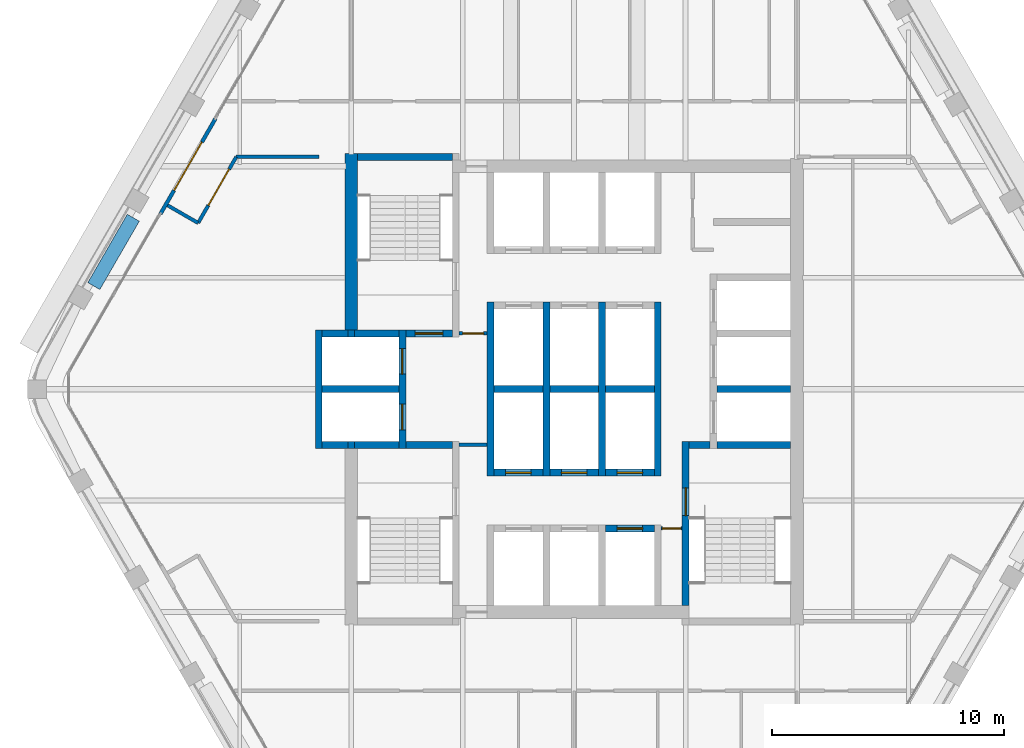
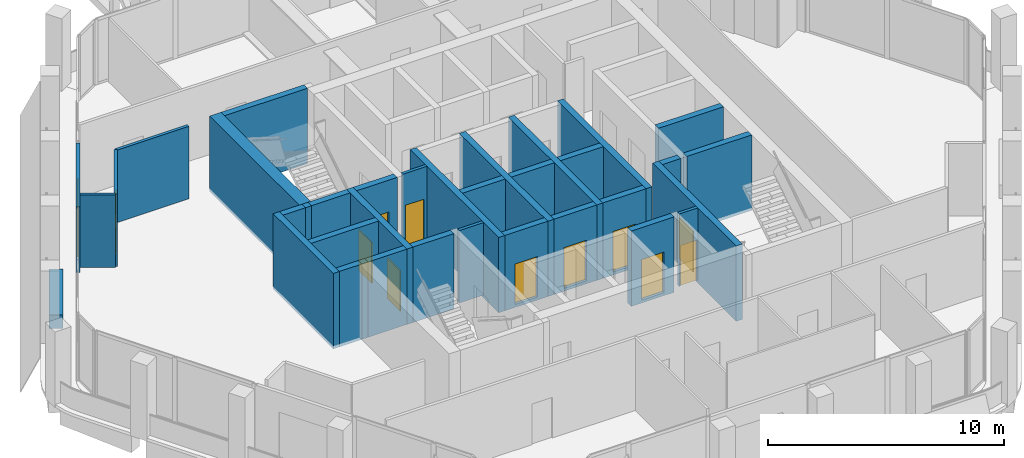
# One storey, part 9 of 14: 36 walls, 12 doors, 12 openings.
"""IFC4 building model written with IfcOpenShell, lengths in metres."""

from ifc_helpers import new_model, si_unit, direction, frame, frame_2d, origin, place, context, subcontext, project, spatial, rectangle, extrude, material, layer, layer_set, type_object, element, fill, save


model = new_model("IFC4")

# Units and contexts
model_context = context("Model", 3, precision=1e-05, world=origin(), true_north=direction((0.0, 1.0)))
body_context = subcontext(model_context, "Body", "Model", "MODEL_VIEW")
ifc_project = project(units=[si_unit("LENGTHUNIT", "METRE"), si_unit("AREAUNIT", "SQUARE_METRE"), si_unit("VOLUMEUNIT", "CUBIC_METRE"), si_unit("PLANEANGLEUNIT", "RADIAN"), si_unit("MASSUNIT", "GRAM", prefix="KILO")], contexts=[model_context])

# Site, building, storey
site_placement = place(None, origin())
site = spatial("IfcSite", under=ifc_project, at=site_placement, CompositionType="ELEMENT")
building_placement = place(site_placement, origin())
building = spatial("IfcBuilding", under=site, at=building_placement, Name="Kolab Exchange Tower", CompositionType="ELEMENT")
storey_placement = place(building_placement, frame((0.0, 0.0, 265.699951171875)))
storey = spatial("IfcBuildingStorey", under=building, at=storey_placement, Name="L59", CompositionType="ELEMENT", Elevation=265.699951171875)

# Wall
ifc_material_1 = material(Name="Concrete C50/60", Category="concrete")
ifc_layer_1 = layer(ifc_material_1, 0.550048828125)
ifc_layer_set_1 = layer_set([ifc_layer_1], Name="Concrete C50/60")
wall_type_1 = type_object("IfcWallType", Name="CORE WALL 550 C50/60", PredefinedType="SHEAR", material=ifc_layer_set_1)
wall_1_placement = place(storey_placement, frame((-9.60009765625, 2.550048828125, -0.14990234375), z_axis=(0.0, 0.0, 1.0), x_axis=(0.0, 1.0, 0.0)))
element("IfcWall", 1, at=wall_1_placement, inside=storey, type_object=wall_type_1, Name="wall/L59/core/037", PredefinedType="SHEAR", context=body_context, shape_type="SweptSolid", body=[
    extrude(rectangle(XDim=7.599853515625, YDim=0.550048828125, at=frame_2d((3.7998046875, 0.0))), origin(), (0.0, 0.0, 1.0), 3.89990234375),
])

# Wall, opening, door
ifc_material_2 = material(Name="Aluminium EN AW-6063 T6", Category="aluminium")
ifc_layer_2 = layer(ifc_material_2, 0.159912109375)
ifc_layer_set_2 = layer_set([ifc_layer_2], Name="Aluminium EN AW-6063 T6")
wall_type_2 = type_object("IfcWallType", Name="DOOR SURROUND WALL 160 ALUMINIUM FRAMED", PredefinedType="PARTITIONING", material=ifc_layer_set_2)
wall_2_placement = place(storey_placement, frame((-17.816650390625, 7.5498046875, 0.0), z_axis=(0.0, 0.0, 1.0), x_axis=(0.499978080042, 0.866038058908, 0.0)))
wall_2 = element("IfcWall", 2, at=wall_2_placement, inside=storey, type_object=wall_type_2, Name="Door surround wall", PredefinedType="PARTITIONING", context=body_context, shape_type="SweptSolid", body=[
    extrude(rectangle(XDim=4.739990234375, YDim=0.159912109375, at=frame_2d((2.3701171875, 0.0))), origin(), (0.0, 0.0, 1.0), 3.400146484375),
])
opening_1_placement = place(wall_2_placement, frame((1.169921875, 0.0, 0.0)))
opening_1 = element("IfcOpeningElement", 3, at=opening_1_placement, cuts=wall_2, Name="Opening GD1-113", PredefinedType="OPENING", context=body_context, shape_type="SweptSolid", body=[
    extrude(rectangle(XDim=2.39990234375, YDim=2.39990234375, at=frame_2d((1.199951171875, 1.199951171875))), frame((0.0, 0.08984375, 0.0), z_axis=(0.0, -1.0, 0.0), x_axis=(1.0, 0.0, 0.0)), (0.0, 0.0, 1.0), 0.179931640625),
])
door_type_1 = type_object("IfcDoorType", Name="LOGGIA SLIDING GLASS DOOR 2400 X 2400", OperationType="DOUBLE_DOOR_SINGLE_SWING", PredefinedType="DOOR", material=ifc_material_2)
door_1_placement = place(opening_1_placement, origin())
door_1 = element("IfcDoor", 4, at=door_1_placement, inside=storey, type_object=door_type_1, Name="Loggia door", OperationType="DOUBLE_DOOR_SLIDING", OverallHeight=2.39990234375, OverallWidth=2.39990234375, PredefinedType="DOOR", context=body_context, shape_type="SweptSolid", body=[
    extrude(rectangle(XDim=2.39990234375, YDim=2.39990234375, at=frame_2d((1.199951171875, 1.199951171875))), frame((0.0, 0.02490234375, 0.0), z_axis=(0.0, -1.0, 0.0), x_axis=(1.0, 0.0, 0.0)), (0.0, 0.0, 1.0), 0.050048828125),
])
fill(opening_1, door_1)

ifc_layer_3 = layer(ifc_material_1, 0.300048828125)
ifc_layer_set_3 = layer_set([ifc_layer_3], Name="Concrete C50/60")
wall_type_3 = type_object("IfcWallType", Name="LIFT SHAFT WALL 300 C50/60", PredefinedType="STANDARD", material=ifc_layer_set_3)
wall_3_placement = place(storey_placement, frame((1.35009765625, -6.0, -0.14990234375), z_axis=(0.0, 0.0, 1.0), x_axis=(1.0, 0.0, 0.0)))
wall_3 = element("IfcWall", 5, at=wall_3_placement, inside=storey, type_object=wall_type_3, Name="wall/L59/core/005", PredefinedType="STANDARD", context=body_context, shape_type="SweptSolid", body=[
    extrude(rectangle(XDim=2.099853515625, YDim=0.300048828125, at=frame_2d((1.0498046875, 0.0))), origin(), (0.0, 0.0, 1.0), 3.89990234375),
])
opening_2_placement = place(wall_3_placement, frame((0.5, 0.0, 0.14990234375)))
opening_2 = element("IfcOpeningElement", 6, at=opening_2_placement, cuts=wall_3, Name="Opening LD1-112", PredefinedType="OPENING", context=body_context, shape_type="SweptSolid", body=[
    extrude(rectangle(XDim=1.10009765625, YDim=2.10009765625, at=frame_2d((0.550048828125, 1.050048828125))), frame((0.0, 0.16015625, 0.0), z_axis=(0.0, -1.0, 0.0), x_axis=(1.0, 0.0, 0.0)), (0.0, 0.0, 1.0), 0.320068359375),
])
ifc_material_3 = material(Name="Stainless steel 316", Category="steel")
door_type_2 = type_object("IfcDoorType", Name="LANDING DOOR 1100 PASSENGER", OperationType="DOUBLE_DOOR_SLIDING", PredefinedType="DOOR", material=ifc_material_3)
door_2_placement = place(opening_2_placement, origin())
door_2 = element("IfcDoor", 7, at=door_2_placement, inside=storey, type_object=door_type_2, Name="Landing door HR12", OperationType="DOUBLE_DOOR_SLIDING", OverallHeight=2.10009765625, OverallWidth=1.10009765625, PredefinedType="DOOR", context=body_context, shape_type="SweptSolid", body=[
    extrude(rectangle(XDim=1.10009765625, YDim=2.10009765625, at=frame_2d((0.550048828125, 1.050048828125))), frame((0.0, 0.02490234375, 0.0), z_axis=(0.0, -1.0, 0.0), x_axis=(1.0, 0.0, 0.0)), (0.0, 0.0, 1.0), 0.050048828125),
])
fill(opening_2, door_2)

wall_4_placement = place(storey_placement, frame((-3.449951171875, -3.60009765625, -0.14990234375), z_axis=(0.0, 0.0, 1.0), x_axis=(1.0, 0.0, 0.0)))
wall_4 = element("IfcWall", 8, at=wall_4_placement, inside=storey, type_object=wall_type_3, Name="wall/L59/core/006", PredefinedType="STANDARD", context=body_context, shape_type="SweptSolid", body=[
    extrude(rectangle(XDim=2.099853515625, YDim=0.300048828125, at=frame_2d((1.0498046875, 0.0))), origin(), (0.0, 0.0, 1.0), 3.89990234375),
])
opening_3_placement = place(wall_4_placement, frame((0.5, 0.0, 0.14990234375)))
opening_3 = element("IfcOpeningElement", 9, at=opening_3_placement, cuts=wall_4, Name="Opening LD1-118", PredefinedType="OPENING", context=body_context, shape_type="SweptSolid", body=[
    extrude(rectangle(XDim=1.10009765625, YDim=2.10009765625, at=frame_2d((0.550048828125, 1.050048828125))), frame((0.0, 0.16015625, 0.0), z_axis=(0.0, -1.0, 0.0), x_axis=(1.0, 0.0, 0.0)), (0.0, 0.0, 1.0), 0.320068359375),
])
door_3_placement = place(opening_3_placement, origin())
door_3 = element("IfcDoor", 10, at=door_3_placement, inside=storey, type_object=door_type_2, Name="Landing door HR7", OperationType="DOUBLE_DOOR_SLIDING", OverallHeight=2.10009765625, OverallWidth=1.10009765625, PredefinedType="DOOR", context=body_context, shape_type="SweptSolid", body=[
    extrude(rectangle(XDim=1.10009765625, YDim=2.10009765625, at=frame_2d((0.550048828125, 1.050048828125))), frame((0.0, 0.02490234375, 0.0), z_axis=(0.0, -1.0, 0.0), x_axis=(1.0, 0.0, 0.0)), (0.0, 0.0, 1.0), 0.050048828125),
])
fill(opening_3, door_3)

wall_5_placement = place(storey_placement, frame((-1.050048828125, -3.60009765625, -0.14990234375), z_axis=(0.0, 0.0, 1.0), x_axis=(1.0, 0.0, 0.0)))
wall_5 = element("IfcWall", 11, at=wall_5_placement, inside=storey, type_object=wall_type_3, Name="wall/L59/core/007", PredefinedType="STANDARD", context=body_context, shape_type="SweptSolid", body=[
    extrude(rectangle(XDim=2.10009765625, YDim=0.300048828125, at=frame_2d((1.050048828125, 0.0))), origin(), (0.0, 0.0, 1.0), 3.89990234375),
])
opening_4_placement = place(wall_5_placement, frame((0.5, 0.0, 0.14990234375)))
opening_4 = element("IfcOpeningElement", 12, at=opening_4_placement, cuts=wall_5, Name="Opening LD1-119", PredefinedType="OPENING", context=body_context, shape_type="SweptSolid", body=[
    extrude(rectangle(XDim=1.10009765625, YDim=2.10009765625, at=frame_2d((0.550048828125, 1.050048828125))), frame((0.0, 0.16015625, 0.0), z_axis=(0.0, -1.0, 0.0), x_axis=(1.0, 0.0, 0.0)), (0.0, 0.0, 1.0), 0.320068359375),
])
door_4_placement = place(opening_4_placement, origin())
door_4 = element("IfcDoor", 13, at=door_4_placement, inside=storey, type_object=door_type_2, Name="Landing door HR8", OperationType="DOUBLE_DOOR_SLIDING", OverallHeight=2.10009765625, OverallWidth=1.10009765625, PredefinedType="DOOR", context=body_context, shape_type="SweptSolid", body=[
    extrude(rectangle(XDim=1.10009765625, YDim=2.10009765625, at=frame_2d((0.550048828125, 1.050048828125))), frame((0.0, 0.02490234375, 0.0), z_axis=(0.0, -1.0, 0.0), x_axis=(1.0, 0.0, 0.0)), (0.0, 0.0, 1.0), 0.050048828125),
])
fill(opening_4, door_4)

wall_6_placement = place(storey_placement, frame((1.35009765625, -3.60009765625, -0.14990234375), z_axis=(0.0, 0.0, 1.0), x_axis=(1.0, 0.0, 0.0)))
wall_6 = element("IfcWall", 14, at=wall_6_placement, inside=storey, type_object=wall_type_3, Name="wall/L59/core/008", PredefinedType="STANDARD", context=body_context, shape_type="SweptSolid", body=[
    extrude(rectangle(XDim=2.099853515625, YDim=0.300048828125, at=frame_2d((1.0498046875, 0.0))), origin(), (0.0, 0.0, 1.0), 3.89990234375),
])
opening_5_placement = place(wall_6_placement, frame((0.5, 0.0, 0.14990234375)))
opening_5 = element("IfcOpeningElement", 15, at=opening_5_placement, cuts=wall_6, Name="Opening LD1-120", PredefinedType="OPENING", context=body_context, shape_type="SweptSolid", body=[
    extrude(rectangle(XDim=1.10009765625, YDim=2.10009765625, at=frame_2d((0.550048828125, 1.050048828125))), frame((0.0, 0.16015625, 0.0), z_axis=(0.0, -1.0, 0.0), x_axis=(1.0, 0.0, 0.0)), (0.0, 0.0, 1.0), 0.320068359375),
])
door_5_placement = place(opening_5_placement, origin())
door_5 = element("IfcDoor", 16, at=door_5_placement, inside=storey, type_object=door_type_2, Name="Landing door HR9", OperationType="DOUBLE_DOOR_SLIDING", OverallHeight=2.10009765625, OverallWidth=1.10009765625, PredefinedType="DOOR", context=body_context, shape_type="SweptSolid", body=[
    extrude(rectangle(XDim=1.10009765625, YDim=2.10009765625, at=frame_2d((0.550048828125, 1.050048828125))), frame((0.0, 0.02490234375, 0.0), z_axis=(0.0, -1.0, 0.0), x_axis=(1.0, 0.0, 0.0)), (0.0, 0.0, 1.0), 0.050048828125),
])
fill(opening_5, door_5)

# Walls
wall_7_placement = place(storey_placement, frame((-10.85009765625, -2.39990234375, -0.14990234375), z_axis=(0.0, 0.0, 1.0), x_axis=(1.0, 0.0, 0.0)))
element("IfcWall", 17, at=wall_7_placement, inside=storey, type_object=wall_type_3, Name="wall/L59/core/009", PredefinedType="STANDARD", context=body_context, shape_type="SweptSolid", body=[
    extrude(rectangle(XDim=1.10009765625, YDim=0.300048828125, at=frame_2d((0.550048828125, 0.0))), origin(), (0.0, 0.0, 1.0), 3.89990234375),
])
wall_8_placement = place(storey_placement, frame((-10.85009765625, 0.0, -0.14990234375), z_axis=(0.0, 0.0, 1.0), x_axis=(1.0, 0.0, 0.0)))
element("IfcWall", 18, at=wall_8_placement, inside=storey, type_object=wall_type_3, Name="wall/L59/core/014", PredefinedType="STANDARD", context=body_context, shape_type="SweptSolid", body=[
    extrude(rectangle(XDim=3.300048828125, YDim=0.300048828125, at=frame_2d((1.64990234375, 0.0))), origin(), (0.0, 0.0, 1.0), 3.89990234375),
])
wall_9_placement = place(storey_placement, frame((-3.449951171875, 0.0, -0.14990234375), z_axis=(0.0, 0.0, 1.0), x_axis=(1.0, 0.0, 0.0)))
element("IfcWall", 19, at=wall_9_placement, inside=storey, type_object=wall_type_3, Name="wall/L59/core/015", PredefinedType="STANDARD", context=body_context, shape_type="SweptSolid", body=[
    extrude(rectangle(XDim=2.099853515625, YDim=0.300048828125, at=frame_2d((1.0498046875, 0.0))), origin(), (0.0, 0.0, 1.0), 3.89990234375),
])
wall_10_placement = place(storey_placement, frame((-1.050048828125, 0.0, -0.14990234375), z_axis=(0.0, 0.0, 1.0), x_axis=(1.0, 0.0, 0.0)))
element("IfcWall", 20, at=wall_10_placement, inside=storey, type_object=wall_type_3, Name="wall/L59/core/016", PredefinedType="STANDARD", context=body_context, shape_type="SweptSolid", body=[
    extrude(rectangle(XDim=2.10009765625, YDim=0.300048828125, at=frame_2d((1.050048828125, 0.0))), origin(), (0.0, 0.0, 1.0), 3.89990234375),
])
wall_11_placement = place(storey_placement, frame((1.35009765625, 0.0, -0.14990234375), z_axis=(0.0, 0.0, 1.0), x_axis=(1.0, 0.0, 0.0)))
element("IfcWall", 21, at=wall_11_placement, inside=storey, type_object=wall_type_3, Name="wall/L59/core/017", PredefinedType="STANDARD", context=body_context, shape_type="SweptSolid", body=[
    extrude(rectangle(XDim=2.099853515625, YDim=0.300048828125, at=frame_2d((1.0498046875, 0.0))), origin(), (0.0, 0.0, 1.0), 3.89990234375),
])
wall_12_placement = place(storey_placement, frame((6.14990234375, 0.0, -0.14990234375), z_axis=(0.0, 0.0, 1.0), x_axis=(1.0, 0.0, 0.0)))
element("IfcWall", 22, at=wall_12_placement, inside=storey, type_object=wall_type_3, Name="wall/L59/core/018", PredefinedType="STANDARD", context=body_context, shape_type="SweptSolid", body=[
    extrude(rectangle(XDim=3.175048828125, YDim=0.300048828125, at=frame_2d((1.58740234375, 0.0))), origin(), (0.0, 0.0, 1.0), 3.89990234375),
])
wall_13_placement = place(storey_placement, frame((-10.85009765625, 2.39990234375, -0.14990234375), z_axis=(0.0, 0.0, 1.0), x_axis=(1.0, 0.0, 0.0)))
element("IfcWall", 23, at=wall_13_placement, inside=storey, type_object=wall_type_3, Name="wall/L59/core/019", PredefinedType="STANDARD", context=body_context, shape_type="SweptSolid", body=[
    extrude(rectangle(XDim=1.10009765625, YDim=0.300048828125, at=frame_2d((0.550048828125, 0.0))), origin(), (0.0, 0.0, 1.0), 3.89990234375),
])
wall_14_placement = place(storey_placement, frame((-11.0, -2.550048828125, -0.14990234375), z_axis=(0.0, 0.0, 1.0), x_axis=(0.0, 1.0, 0.0)))
element("IfcWall", 24, at=wall_14_placement, inside=storey, type_object=wall_type_3, Name="wall/L59/core/033", PredefinedType="STANDARD", context=body_context, shape_type="SweptSolid", body=[
    extrude(rectangle(XDim=5.10009765625, YDim=0.300048828125, at=frame_2d((2.550048828125, 0.0))), origin(), (0.0, 0.0, 1.0), 3.89990234375),
])

# Wall, openings, doors
wall_15_placement = place(storey_placement, frame((-7.39990234375, -2.550048828125, -0.14990234375), z_axis=(0.0, 0.0, 1.0), x_axis=(0.0, 1.0, 0.0)))
wall_15 = element("IfcWall", 25, at=wall_15_placement, inside=storey, type_object=wall_type_3, Name="wall/L59/core/038", PredefinedType="STANDARD", context=body_context, shape_type="SweptSolid", body=[
    extrude(rectangle(XDim=5.10009765625, YDim=0.300048828125, at=frame_2d((2.550048828125, 0.0))), origin(), (0.0, 0.0, 1.0), 3.89990234375),
])
opening_6_placement = place(wall_15_placement, frame((0.800048828125, 0.0, 0.14990234375)))
opening_6 = element("IfcOpeningElement", 26, at=opening_6_placement, cuts=wall_15, Name="Opening LD2-025", PredefinedType="OPENING", context=body_context, shape_type="SweptSolid", body=[
    extrude(rectangle(XDim=1.10009765625, YDim=2.10009765625, at=frame_2d((0.550048828125, 1.050048828125))), frame((0.0, 0.16015625, 0.0), z_axis=(0.0, -1.0, 0.0), x_axis=(1.0, 0.0, 0.0)), (0.0, 0.0, 1.0), 0.320068359375),
])
opening_7_placement = place(wall_15_placement, frame((3.199951171875, 0.0, 0.14990234375)))
opening_7 = element("IfcOpeningElement", 27, at=opening_7_placement, cuts=wall_15, Name="Opening LD2-026", PredefinedType="OPENING", context=body_context, shape_type="SweptSolid", body=[
    extrude(rectangle(XDim=1.10009765625, YDim=2.10009765625, at=frame_2d((0.550048828125, 1.050048828125))), frame((0.0, 0.16015625, 0.0), z_axis=(0.0, -1.0, 0.0), x_axis=(1.0, 0.0, 0.0)), (0.0, 0.0, 1.0), 0.320068359375),
])
door_type_3 = type_object("IfcDoorType", Name="LANDING DOOR 1100 FIREFIGHTING", OperationType="DOUBLE_DOOR_SLIDING", PredefinedType="DOOR", material=ifc_material_3)
door_6_placement = place(opening_6_placement, origin())
door_6 = element("IfcDoor", 28, at=door_6_placement, inside=storey, type_object=door_type_3, Name="Landing door FF1", OperationType="DOUBLE_DOOR_SLIDING", OverallHeight=2.10009765625, OverallWidth=1.10009765625, PredefinedType="DOOR", context=body_context, shape_type="SweptSolid", body=[
    extrude(rectangle(XDim=1.10009765625, YDim=2.10009765625, at=frame_2d((0.550048828125, 1.050048828125))), frame((0.0, 0.02490234375, 0.0), z_axis=(0.0, -1.0, 0.0), x_axis=(1.0, 0.0, 0.0)), (0.0, 0.0, 1.0), 0.050048828125),
])
fill(opening_6, door_6)
door_7_placement = place(opening_7_placement, origin())
door_7 = element("IfcDoor", 29, at=door_7_placement, inside=storey, type_object=door_type_3, Name="Landing door FF2", OperationType="DOUBLE_DOOR_SLIDING", OverallHeight=2.10009765625, OverallWidth=1.10009765625, PredefinedType="DOOR", context=body_context, shape_type="SweptSolid", body=[
    extrude(rectangle(XDim=1.10009765625, YDim=2.10009765625, at=frame_2d((0.550048828125, 1.050048828125))), frame((0.0, 0.02490234375, 0.0), z_axis=(0.0, -1.0, 0.0), x_axis=(1.0, 0.0, 0.0)), (0.0, 0.0, 1.0), 0.050048828125),
])
fill(opening_7, door_7)

# Walls
for number, where, z_axis, x_axis, name in (
    (30, (-3.60009765625, -3.75, -0.14990234375), (0.0, 0.0, 1.0), (0.0, 1.0, 0.0), "wall/L59/core/044"),
    (31, (-1.199951171875, -3.75, -0.14990234375), (0.0, 0.0, 1.0), (0.0, 1.0, 0.0), "wall/L59/core/047"),
    (32, (1.199951171875, -3.75, -0.14990234375), (0.0, 0.0, 1.0), (0.0, 1.0, 0.0), "wall/L59/core/050"),
    (33, (3.60009765625, -3.75, -0.14990234375), (0.0, 0.0, 1.0), (0.0, 1.0, 0.0), "wall/L59/core/053"),
):
    element("IfcWall", number, at=place(storey_placement, frame(where, z_axis=z_axis, x_axis=x_axis)), inside=storey, type_object=wall_type_3, Name=name, PredefinedType="STANDARD", context=body_context, shape_type="SweptSolid", body=[
        extrude(rectangle(XDim=7.5, YDim=0.300048828125, at=frame_2d((3.75, 0.0))), origin(), (0.0, 0.0, 1.0), 3.89990234375),
    ])

# Wall, opening, door
ifc_material_4 = material(Name="Gypsum board", Category="gypsum")
ifc_layer_4 = layer(ifc_material_4, 0.14990234375)
ifc_layer_set_4 = layer_set([ifc_layer_4], Name="Gypsum board")
wall_type_4 = type_object("IfcWallType", Name="PARTITION 150 FIRE-RATED", PredefinedType="PARTITIONING", material=ifc_layer_set_4)
wall_16_placement = place(storey_placement, frame((-16.196044921875, 7.15673828125, 0.0), z_axis=(0.0, 0.0, 1.0), x_axis=(0.499954196102, 0.866051847062, 0.0)))
wall_16 = element("IfcWall", 34, at=wall_16_placement, inside=storey, type_object=wall_type_4, Name="Partition 016", PredefinedType="PARTITIONING", context=body_context, shape_type="SweptSolid", body=[
    extrude(rectangle(XDim=3.282958984375, YDim=0.14990234375, at=frame_2d((1.6416015625, 0.0))), origin(), (0.0, 0.0, 1.0), 3.75),
])
opening_8_placement = place(wall_16_placement, frame((0.87744140625, 0.0, 0.0)))
opening_8 = element("IfcOpeningElement", 35, at=opening_8_placement, cuts=wall_16, Name="Opening D2-073", PredefinedType="OPENING", context=body_context, shape_type="SweptSolid", body=[
    extrude(rectangle(XDim=1.800048828125, YDim=2.10009765625, at=frame_2d((0.89990234375, 1.050048828125))), frame((0.0, 0.0849609375, 0.0), z_axis=(0.0, -1.0, 0.0), x_axis=(1.0, 0.0, 0.0)), (0.0, 0.0, 1.0), 0.169921875),
])
ifc_material_5 = material(Name="Steel S235", Category="steel")
door_type_4 = type_object("IfcDoorType", Name="DOUBLE DOOR 1800 FD60", OperationType="DOUBLE_DOOR_SINGLE_SWING", PredefinedType="DOOR", material=ifc_material_5)
door_8_placement = place(opening_8_placement, frame((1.800048828125, 0.0, 0.0), z_axis=(0.0, 0.0, 1.0), x_axis=(-1.0, 0.0, 0.0)))
door_8 = element("IfcDoor", 36, at=door_8_placement, inside=storey, type_object=door_type_4, Name="Door L59-042", OperationType="SINGLE_SWING_RIGHT", OverallHeight=2.10009765625, OverallWidth=1.800048828125, PredefinedType="DOOR", context=body_context, shape_type="SweptSolid", body=[
    extrude(rectangle(XDim=1.800048828125, YDim=2.10009765625, at=frame_2d((0.89990234375, 1.050048828125))), frame((0.0, 0.02490234375, 0.0), z_axis=(0.0, -1.0, 0.0), x_axis=(1.0, 0.0, 0.0)), (0.0, 0.0, 1.0), 0.050048828125),
])
fill(opening_8, door_8)

# Wall
wall_17_placement = place(storey_placement, frame((-17.512451171875, 7.9169921875, 0.0), z_axis=(0.0, 0.0, 1.0), x_axis=(0.865960906633, -0.500111695708, 0.0)))
element("IfcWall", 37, at=wall_17_placement, inside=storey, type_object=wall_type_4, Name="Partition 017", PredefinedType="PARTITIONING", context=body_context, shape_type="SweptSolid", body=[
    extrude(rectangle(XDim=1.520263671875, YDim=0.14990234375, at=frame_2d((0.76025390625, 0.0))), origin(), (0.0, 0.0, 1.0), 3.75),
])

# Wall, opening, door
wall_18_placement = place(storey_placement, frame((3.75, -6.0, 0.0), z_axis=(0.0, 0.0, 1.0), x_axis=(1.0, 0.0, 0.0)))
wall_18 = element("IfcWall", 38, at=wall_18_placement, inside=storey, type_object=wall_type_4, Name="Partition 025", PredefinedType="PARTITIONING", context=body_context, shape_type="SweptSolid", body=[
    extrude(rectangle(XDim=0.89990234375, YDim=0.14990234375, at=frame_2d((0.449951171875, 0.0))), origin(), (0.0, 0.0, 1.0), 3.75),
])
opening_9_placement = place(wall_18_placement, frame((0.050048828125, 0.0, 0.0)))
opening_9 = element("IfcOpeningElement", 39, at=opening_9_placement, cuts=wall_18, Name="Opening D7-041", PredefinedType="OPENING", context=body_context, shape_type="SweptSolid", body=[
    extrude(rectangle(XDim=0.800048828125, YDim=2.10009765625, at=frame_2d((0.39990234375, 1.050048828125))), frame((0.0, 0.0849609375, 0.0), z_axis=(0.0, -1.0, 0.0), x_axis=(1.0, 0.0, 0.0)), (0.0, 0.0, 1.0), 0.169921875),
])
door_type_5 = type_object("IfcDoorType", Name="FLUSH DOOR 800 FD60", OperationType="SINGLE_SWING_LEFT", PredefinedType="DOOR", material=ifc_material_5)
door_9_placement = place(opening_9_placement, frame((0.800048828125, 0.0, 0.0), z_axis=(0.0, 0.0, 1.0), x_axis=(-1.0, 0.0, 0.0)))
door_9 = element("IfcDoor", 40, at=door_9_placement, inside=storey, type_object=door_type_5, Name="Door L59-024", OperationType="SINGLE_SWING_RIGHT", OverallHeight=2.10009765625, OverallWidth=0.800048828125, PredefinedType="DOOR", context=body_context, shape_type="SweptSolid", body=[
    extrude(rectangle(XDim=0.800048828125, YDim=2.10009765625, at=frame_2d((0.39990234375, 1.050048828125))), frame((0.0, 0.02490234375, 0.0), z_axis=(0.0, -1.0, 0.0), x_axis=(1.0, 0.0, 0.0)), (0.0, 0.0, 1.0), 0.050048828125),
])
fill(opening_9, door_9)

# Wall
wall_19_placement = place(storey_placement, frame((-14.5546875, 10.0, 0.0), z_axis=(0.0, 0.0, 1.0), x_axis=(1.0, 0.0, 0.0)))
element("IfcWall", 41, at=wall_19_placement, inside=storey, type_object=wall_type_4, Name="Partition 027", PredefinedType="PARTITIONING", context=body_context, shape_type="SweptSolid", body=[
    extrude(rectangle(XDim=3.5546875, YDim=0.14990234375, at=frame_2d((1.77734375, 0.0))), origin(), (0.0, 0.0, 1.0), 3.75),
])

# Wall, opening, door
wall_20_placement = place(storey_placement, frame((-4.949951171875, 2.39990234375, 0.0), z_axis=(0.0, 0.0, 1.0), x_axis=(1.0, 0.0, 0.0)))
wall_20 = element("IfcWall", 42, at=wall_20_placement, inside=storey, type_object=wall_type_4, Name="Fire partition", PredefinedType="PARTITIONING", context=body_context, shape_type="SweptSolid", body=[
    extrude(rectangle(XDim=1.199951171875, YDim=0.14990234375, at=frame_2d((0.60009765625, 0.0))), origin(), (0.0, 0.0, 1.0), 3.75),
])
opening_10_placement = place(wall_20_placement, frame((0.14990234375, 0.0, 0.0)))
opening_10 = element("IfcOpeningElement", 43, at=opening_10_placement, cuts=wall_20, Name="Opening D6-288", PredefinedType="OPENING", context=body_context, shape_type="SweptSolid", body=[
    extrude(rectangle(XDim=0.89990234375, YDim=2.10009765625, at=frame_2d((0.449951171875, 1.050048828125))), frame((0.0, 0.0849609375, 0.0), z_axis=(0.0, -1.0, 0.0), x_axis=(1.0, 0.0, 0.0)), (0.0, 0.0, 1.0), 0.169921875),
])
door_type_6 = type_object("IfcDoorType", Name="CORE DOOR 900 EI 120", OperationType="SINGLE_SWING_LEFT", PredefinedType="DOOR", material=ifc_material_5)
door_10_placement = place(opening_10_placement, frame((0.89990234375, 0.0, 0.0), z_axis=(0.0, 0.0, 1.0), x_axis=(-1.0, 0.0, 0.0)))
door_10 = element("IfcDoor", 44, at=door_10_placement, inside=storey, type_object=door_type_6, Name="Firefighting lobby door", OperationType="SINGLE_SWING_RIGHT", OverallHeight=2.10009765625, OverallWidth=0.89990234375, PredefinedType="DOOR", context=body_context, shape_type="SweptSolid", body=[
    extrude(rectangle(XDim=0.89990234375, YDim=2.10009765625, at=frame_2d((0.449951171875, 1.050048828125))), frame((0.0, 0.02490234375, 0.0), z_axis=(0.0, -1.0, 0.0), x_axis=(1.0, 0.0, 0.0)), (0.0, 0.0, 1.0), 0.050048828125),
])
fill(opening_10, door_10)

# Walls
wall_21_placement = place(storey_placement, frame((-4.949951171875, -2.39990234375, 0.0), z_axis=(0.0, 0.0, 1.0), x_axis=(1.0, 0.0, 0.0)))
element("IfcWall", 45, at=wall_21_placement, inside=storey, type_object=wall_type_4, Name="Fire partition", PredefinedType="PARTITIONING", context=body_context, shape_type="SweptSolid", body=[
    extrude(rectangle(XDim=1.199951171875, YDim=0.14990234375, at=frame_2d((0.60009765625, 0.0))), origin(), (0.0, 0.0, 1.0), 3.75),
])
ifc_material_6 = material(Name="Granite facing", Category="masonry")
ifc_layer_5 = layer(ifc_material_6, 0.0400390625)
ifc_material_7 = material(Name="Concrete C40/50 precast", Category="concrete")
ifc_layer_6 = layer(ifc_material_7, 0.56005859375)
ifc_layer_set_5 = layer_set([ifc_layer_5, ifc_layer_6], Name="Concrete C40/50 precast")
wall_type_5 = type_object("IfcWallType", Name="PLANTER BOX 600 X 700 SOIL DEPTH 550", PredefinedType="USERDEFINED", material=ifc_layer_set_5)
wall_22_placement = place(storey_placement, frame((-20.68701171875, 4.438232421875, 0.0), z_axis=(0.0, 0.0, 1.0), x_axis=(0.500008388397, 0.866020560687, 0.0)))
element("IfcWall", 46, at=wall_22_placement, inside=storey, type_object=wall_type_5, Name="Planter", ObjectType="PLANTER", PredefinedType="USERDEFINED", context=body_context, shape_type="SweptSolid", body=[
    extrude(rectangle(XDim=3.39990234375, YDim=0.60009765625, at=frame_2d((1.699951171875, 0.0))), origin(), (0.0, 0.0, 1.0), 0.699951171875),
])
ifc_layer_7 = layer(ifc_material_1, 0.300048828125)
ifc_layer_set_6 = layer_set([ifc_layer_7], Name="Concrete C50/60")
wall_type_6 = type_object("IfcWallType", Name="STAIR ENCLOSURE WALL 300 C50/60", PredefinedType="STANDARD", material=ifc_layer_set_6)
wall_23_placement = place(storey_placement, frame((-9.449951171875, -2.39990234375, -0.14990234375), z_axis=(0.0, 0.0, 1.0), x_axis=(1.0, 0.0, 0.0)))
element("IfcWall", 47, at=wall_23_placement, inside=storey, type_object=wall_type_6, Name="wall/L59/core/010", PredefinedType="STANDARD", context=body_context, shape_type="SweptSolid", body=[
    extrude(rectangle(XDim=1.89990234375, YDim=0.300048828125, at=frame_2d((0.949951171875, 0.0))), origin(), (0.0, 0.0, 1.0), 3.89990234375),
])
wall_24_placement = place(storey_placement, frame((-7.25, -2.39990234375, -0.14990234375), z_axis=(0.0, 0.0, 1.0), x_axis=(1.0, 0.0, 0.0)))
element("IfcWall", 48, at=wall_24_placement, inside=storey, type_object=wall_type_6, Name="wall/L59/core/011", PredefinedType="STANDARD", context=body_context, shape_type="SweptSolid", body=[
    extrude(rectangle(XDim=2.0, YDim=0.300048828125, at=frame_2d((1.0, 0.0))), origin(), (0.0, 0.0, 1.0), 3.89990234375),
])
wall_25_placement = place(storey_placement, frame((4.949951171875, -2.39990234375, -0.14990234375), z_axis=(0.0, 0.0, 1.0), x_axis=(1.0, 0.0, 0.0)))
element("IfcWall", 49, at=wall_25_placement, inside=storey, type_object=wall_type_6, Name="wall/L59/core/012", PredefinedType="STANDARD", context=body_context, shape_type="SweptSolid", body=[
    extrude(rectangle(XDim=0.900146484375, YDim=0.300048828125, at=frame_2d((0.4501953125, 0.0))), origin(), (0.0, 0.0, 1.0), 3.89990234375),
])
wall_26_placement = place(storey_placement, frame((6.14990234375, -2.39990234375, -0.14990234375), z_axis=(0.0, 0.0, 1.0), x_axis=(1.0, 0.0, 0.0)))
element("IfcWall", 50, at=wall_26_placement, inside=storey, type_object=wall_type_6, Name="wall/L59/core/013", PredefinedType="STANDARD", context=body_context, shape_type="SweptSolid", body=[
    extrude(rectangle(XDim=3.175048828125, YDim=0.300048828125, at=frame_2d((1.58740234375, 0.0))), origin(), (0.0, 0.0, 1.0), 3.89990234375),
])
wall_27_placement = place(storey_placement, frame((-9.449951171875, 2.39990234375, -0.14990234375), z_axis=(0.0, 0.0, 1.0), x_axis=(1.0, 0.0, 0.0)))
element("IfcWall", 51, at=wall_27_placement, inside=storey, type_object=wall_type_6, Name="wall/L59/core/020", PredefinedType="STANDARD", context=body_context, shape_type="SweptSolid", body=[
    extrude(rectangle(XDim=1.89990234375, YDim=0.300048828125, at=frame_2d((0.949951171875, 0.0))), origin(), (0.0, 0.0, 1.0), 3.89990234375),
])

# Wall, opening, door
wall_28_placement = place(storey_placement, frame((-7.25, 2.39990234375, -0.14990234375), z_axis=(0.0, 0.0, 1.0), x_axis=(1.0, 0.0, 0.0)))
wall_28 = element("IfcWall", 52, at=wall_28_placement, inside=storey, type_object=wall_type_6, Name="wall/L59/core/021", PredefinedType="STANDARD", context=body_context, shape_type="SweptSolid", body=[
    extrude(rectangle(XDim=2.0, YDim=0.300048828125, at=frame_2d((1.0, 0.0))), origin(), (0.0, 0.0, 1.0), 3.89990234375),
])
opening_11_placement = place(wall_28_placement, frame((0.39990234375, 0.0, 0.14990234375)))
opening_11 = element("IfcOpeningElement", 53, at=opening_11_placement, cuts=wall_28, Name="Opening D4-065", PredefinedType="OPENING", context=body_context, shape_type="SweptSolid", body=[
    extrude(rectangle(XDim=1.199951171875, YDim=2.10009765625, at=frame_2d((0.60009765625, 1.050048828125))), frame((0.0, 0.16015625, 0.0), z_axis=(0.0, -1.0, 0.0), x_axis=(1.0, 0.0, 0.0)), (0.0, 0.0, 1.0), 0.320068359375),
])
door_type_7 = type_object("IfcDoorType", Name="STAIR DOOR 1200 EI 120", OperationType="SINGLE_SWING_LEFT", PredefinedType="DOOR", material=ifc_material_5)
door_11_placement = place(opening_11_placement, origin())
door_11 = element("IfcDoor", 54, at=door_11_placement, inside=storey, type_object=door_type_7, Name="Stair 1 door", OperationType="SINGLE_SWING_RIGHT", OverallHeight=2.10009765625, OverallWidth=1.199951171875, PredefinedType="DOOR", context=body_context, shape_type="SweptSolid", body=[
    extrude(rectangle(XDim=1.199951171875, YDim=2.10009765625, at=frame_2d((0.60009765625, 1.050048828125))), frame((0.0, 0.02490234375, 0.0), z_axis=(0.0, -1.0, 0.0), x_axis=(1.0, 0.0, 0.0)), (0.0, 0.0, 1.0), 0.050048828125),
])
fill(opening_11, door_11)

# Walls
wall_29_placement = place(storey_placement, frame((-9.324951171875, 10.0, -0.14990234375), z_axis=(0.0, 0.0, 1.0), x_axis=(1.0, 0.0, 0.0)))
element("IfcWall", 55, at=wall_29_placement, inside=storey, type_object=wall_type_6, Name="wall/L59/core/032", PredefinedType="STANDARD", context=body_context, shape_type="SweptSolid", body=[
    extrude(rectangle(XDim=4.074951171875, YDim=0.300048828125, at=frame_2d((2.03759765625, 0.0))), origin(), (0.0, 0.0, 1.0), 3.89990234375),
])
for number, where, z_axis, x_axis, name in (
    (56, (-9.60009765625, -2.550048828125, -0.14990234375), (0.0, 0.0, 1.0), (0.0, 1.0, 0.0), "wall/L59/core/035"),
    (57, (-9.60009765625, 2.25, -0.14990234375), (0.0, 0.0, 1.0), (0.0, 1.0, 0.0), "wall/L59/core/036"),
):
    element("IfcWall", number, at=place(storey_placement, frame(where, z_axis=z_axis, x_axis=x_axis)), inside=storey, type_object=wall_type_6, Name=name, PredefinedType="STANDARD", context=body_context, shape_type="SweptSolid", body=[
        extrude(rectangle(XDim=0.300048828125, YDim=0.300048828125, at=frame_2d((0.14990234375, 0.0))), origin(), (0.0, 0.0, 1.0), 3.89990234375),
    ])

# Wall, opening, door
wall_30_placement = place(storey_placement, frame((4.800048828125, -9.324951171875, -0.14990234375), z_axis=(0.0, 0.0, 1.0), x_axis=(0.0, 1.0, 0.0)))
wall_30 = element("IfcWall", 58, at=wall_30_placement, inside=storey, type_object=wall_type_6, Name="wall/L59/core/056", PredefinedType="STANDARD", context=body_context, shape_type="SweptSolid", body=[
    extrude(rectangle(XDim=7.074951171875, YDim=0.300048828125, at=frame_2d((3.53759765625, 0.0))), origin(), (0.0, 0.0, 1.0), 3.89990234375),
])
opening_12_placement = place(wall_30_placement, frame((3.875, 0.0, 0.14990234375)))
opening_12 = element("IfcOpeningElement", 59, at=opening_12_placement, cuts=wall_30, Name="Opening D4-077", PredefinedType="OPENING", context=body_context, shape_type="SweptSolid", body=[
    extrude(rectangle(XDim=1.199951171875, YDim=2.10009765625, at=frame_2d((0.60009765625, 1.050048828125))), frame((0.0, 0.16015625, 0.0), z_axis=(0.0, -1.0, 0.0), x_axis=(1.0, 0.0, 0.0)), (0.0, 0.0, 1.0), 0.320068359375),
])
door_12_placement = place(opening_12_placement, frame((1.199951171875, 0.0, 0.0), z_axis=(0.0, 0.0, 1.0), x_axis=(-1.0, 0.0, 0.0)))
door_12 = element("IfcDoor", 60, at=door_12_placement, inside=storey, type_object=door_type_7, Name="Stair 2 door", OperationType="SINGLE_SWING_RIGHT", OverallHeight=2.10009765625, OverallWidth=1.199951171875, PredefinedType="DOOR", context=body_context, shape_type="SweptSolid", body=[
    extrude(rectangle(XDim=1.199951171875, YDim=2.10009765625, at=frame_2d((0.60009765625, 1.050048828125))), frame((0.0, 0.02490234375, 0.0), z_axis=(0.0, -1.0, 0.0), x_axis=(1.0, 0.0, 0.0)), (0.0, 0.0, 1.0), 0.050048828125),
])
fill(opening_12, door_12)

save(model, "model.ifc")
